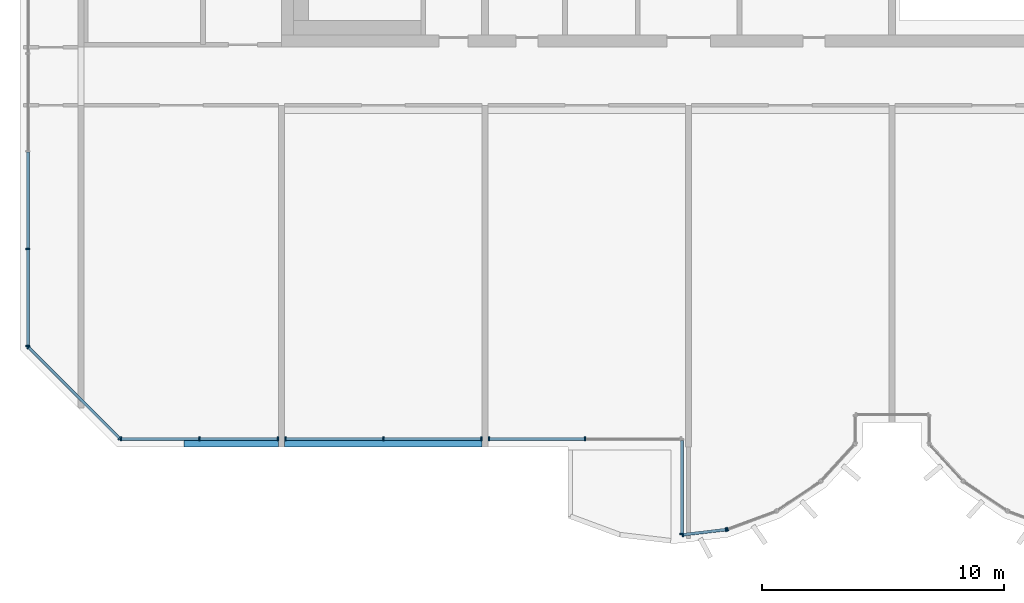
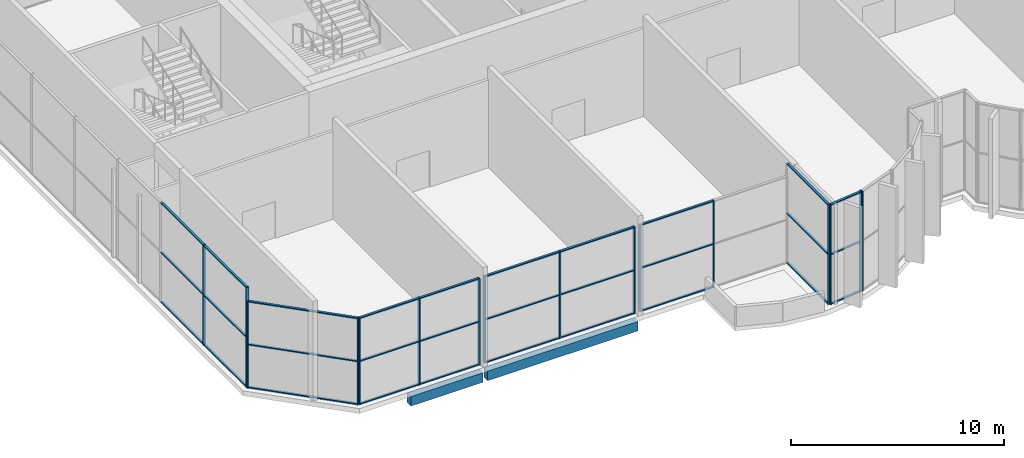
# One storey, part 1 of 17: 46 members, 2 beams, 8 elements without a shape of their own.
"""IFC4 building model written with IfcOpenShell, lengths in metres."""

from ifc_helpers import new_model, si_unit, direction, frame, origin, origin_2d, place, context, subcontext, project, spatial, rectangle, extrude, source, transform, mapped, material, material_profile, profile_set, type_object, element, aggregate, save


model = new_model("IFC4")

# Units and contexts
model_context = context("Model", 3, precision=1e-05, world=origin(), true_north=direction((0.0, 1.0)))
body_context = subcontext(model_context, "Body", "Model", "MODEL_VIEW")
ifc_project = project(units=[si_unit("LENGTHUNIT", "METRE"), si_unit("AREAUNIT", "SQUARE_METRE"), si_unit("VOLUMEUNIT", "CUBIC_METRE"), si_unit("PLANEANGLEUNIT", "RADIAN"), si_unit("MASSUNIT", "GRAM", prefix="KILO")], contexts=[model_context])

# Site, building, storey
site_placement = place(None, origin())
site = spatial("IfcSite", under=ifc_project, at=site_placement, CompositionType="ELEMENT")
building_placement = place(site_placement, origin())
building = spatial("IfcBuilding", under=site, at=building_placement, Name="Vanashikhar Sky Hotel", CompositionType="ELEMENT")
storey_placement = place(building_placement, frame((0.0, 0.0, 323.699951171875)))
storey = spatial("IfcBuildingStorey", under=building, at=storey_placement, Name="L77", CompositionType="ELEMENT", Elevation=323.699951171875)

# Beams
ifc_material_1 = material(Name="Concrete M50", Category="concrete")
ifc_material_profile_1 = material_profile(ifc_material_1, rectangle(XDim=0.35009765625, YDim=0.550048828125, at=origin_2d()))
ifc_profile_set_1 = profile_set([ifc_material_profile_1], Name="RC 350x550 beam Concrete M50")
beam_type_1 = type_object("IfcBeamType", Name="RC 350x550 beam Concrete M50", PredefinedType="SPANDREL", material=ifc_profile_set_1)
shared_shape_1 = source(origin(), body_context, "Body", "SweptSolid", [
    extrude(rectangle(XDim=0.35009765625, YDim=0.550048828125, at=origin_2d()), origin(), (0.0, 0.0, 1.0), 8.150146484375),
])
beam_1_placement = place(storey_placement, frame((25.324951171875, 5.675048828125, -0.554931640625), z_axis=(1.0, 0.0, 0.0), x_axis=(0.0, 1.0, 0.0)))
element("IfcBeam", 1, at=beam_1_placement, inside=storey, type_object=beam_type_1, Name="EB-L77-F01", PredefinedType="SPANDREL", context=body_context, shape_type="MappedRepresentation", body=[
    mapped(shared_shape_1, transform((0.0, 0.0, 0.0), scale=1.0)),
])
ifc_material_profile_2 = material_profile(ifc_material_1, rectangle(XDim=0.35009765625, YDim=0.550048828125, at=origin_2d()))
ifc_profile_set_2 = profile_set([ifc_material_profile_2], Name="RC 350x550 cantilever beam Concrete M50")
beam_type_2 = type_object("IfcBeamType", Name="RC 350x550 cantilever beam Concrete M50", PredefinedType="SPANDREL", material=ifc_profile_set_2)
shared_shape_2 = source(origin(), body_context, "Body", "SweptSolid", [
    extrude(rectangle(XDim=0.35009765625, YDim=0.550048828125, at=origin_2d()), origin(), (0.0, 0.0, 1.0), 3.89990234375),
])
beam_2_placement = place(storey_placement, frame((21.175048828125, 5.675048828125, -0.554931640625), z_axis=(1.0, 0.0, 0.0), x_axis=(0.0, 1.0, 0.0)))
element("IfcBeam", 2, at=beam_2_placement, inside=storey, type_object=beam_type_2, Name="EB-L77-F02", PredefinedType="SPANDREL", context=body_context, shape_type="MappedRepresentation", body=[
    mapped(shared_shape_2, transform((0.0, 0.0, 0.0), scale=1.0)),
])

# Curtain wall, members
ifc_material_2 = material(Name="Glass", Category="glass")
curtain_wall_type = type_object("IfcCurtainWallType", Name="Sky restaurant glazing", PredefinedType="NOTDEFINED", material=ifc_material_2)
curtain_wall_1_placement = place(storey_placement, origin())
curtain_wall_1 = element("IfcCurtainWall", 3, at=curtain_wall_1_placement, inside=storey, type_object=curtain_wall_type, Name="Sky restaurant glazing", PredefinedType="NOTDEFINED")
ifc_material_3 = material(Name="Aluminium 6063-T6", Category="aluminium")
ifc_material_profile_3 = material_profile(ifc_material_3, rectangle(XDim=0.159912109375, YDim=0.06005859375, at=origin_2d()))
ifc_profile_set_3 = profile_set([ifc_material_profile_3], Name="Aluminium 6063-T6")
member_type_1 = type_object("IfcMemberType", Name="Sky restaurant mullion 60 x 160", PredefinedType="MULLION", material=ifc_profile_set_3)
shared_shape_3 = source(origin(), body_context, "Body", "SweptSolid", [
    extrude(rectangle(XDim=0.159912109375, YDim=0.06005859375, at=origin_2d()), origin(), (0.0, 0.0, 1.0), 4.969970703125),
])
member_1_placement = place(storey_placement, frame((18.564697265625, 5.824951171875, 0.0), z_axis=(0.0, 0.0, 1.0), x_axis=(0.0, 1.0, 0.0)))
member_1 = element("IfcMember", 4, at=member_1_placement, type_object=member_type_1, Name="CW-5 mullion 1", PredefinedType="MULLION", context=body_context, shape_type="MappedRepresentation", body=[
    mapped(shared_shape_3, transform((0.0, 0.0, 0.0), scale=1.0)),
])
member_2_placement = place(storey_placement, frame((21.8046875, 5.824951171875, 0.0), z_axis=(0.0, 0.0, 1.0), x_axis=(0.0, 1.0, 0.0)))
member_2 = element("IfcMember", 5, at=member_2_placement, type_object=member_type_1, Name="CW-5 mullion 2", PredefinedType="MULLION", context=body_context, shape_type="MappedRepresentation", body=[
    mapped(shared_shape_3, transform((0.0, 0.0, 0.0), scale=1.0)),
])
member_3_placement = place(storey_placement, frame((25.044921875, 5.824951171875, 0.0), z_axis=(0.0, 0.0, 1.0), x_axis=(0.0, 1.0, 0.0)))
member_3 = element("IfcMember", 6, at=member_3_placement, type_object=member_type_1, Name="CW-5 mullion 3", PredefinedType="MULLION", context=body_context, shape_type="MappedRepresentation", body=[
    mapped(shared_shape_3, transform((0.0, 0.0, 0.0), scale=1.0)),
])

curtain_wall_2_placement = place(storey_placement, origin())
curtain_wall_2 = element("IfcCurtainWall", 7, at=curtain_wall_2_placement, inside=storey, type_object=curtain_wall_type, Name="Sky restaurant glazing", PredefinedType="NOTDEFINED")
member_4_placement = place(storey_placement, frame((25.35498046875, 5.824951171875, 0.0), z_axis=(0.0, 0.0, 1.0), x_axis=(0.0, 1.0, 0.0)))
member_4 = element("IfcMember", 8, at=member_4_placement, type_object=member_type_1, Name="CW-5 mullion 1", PredefinedType="MULLION", context=body_context, shape_type="MappedRepresentation", body=[
    mapped(shared_shape_3, transform((0.0, 0.0, 0.0), scale=1.0)),
])
member_5_placement = place(storey_placement, frame((29.39990234375, 5.824951171875, 0.0), z_axis=(0.0, 0.0, 1.0), x_axis=(0.0, 1.0, 0.0)))
member_5 = element("IfcMember", 9, at=member_5_placement, type_object=member_type_1, Name="CW-5 mullion 2", PredefinedType="MULLION", context=body_context, shape_type="MappedRepresentation", body=[
    mapped(shared_shape_3, transform((0.0, 0.0, 0.0), scale=1.0)),
])
member_6_placement = place(storey_placement, frame((33.445068359375, 5.824951171875, 0.0), z_axis=(0.0, 0.0, 1.0), x_axis=(0.0, 1.0, 0.0)))
member_6 = element("IfcMember", 10, at=member_6_placement, type_object=member_type_1, Name="CW-5 mullion 3", PredefinedType="MULLION", context=body_context, shape_type="MappedRepresentation", body=[
    mapped(shared_shape_3, transform((0.0, 0.0, 0.0), scale=1.0)),
])

curtain_wall_3_placement = place(storey_placement, origin())
curtain_wall_3 = element("IfcCurtainWall", 11, at=curtain_wall_3_placement, inside=storey, type_object=curtain_wall_type, Name="Sky restaurant glazing", PredefinedType="NOTDEFINED")
member_7_placement = place(storey_placement, frame((33.7548828125, 5.824951171875, 0.0), z_axis=(0.0, 0.0, 1.0), x_axis=(0.0, 1.0, 0.0)))
member_7 = element("IfcMember", 12, at=member_7_placement, type_object=member_type_1, Name="CW-5 mullion 1", PredefinedType="MULLION", context=body_context, shape_type="MappedRepresentation", body=[
    mapped(shared_shape_3, transform((0.0, 0.0, 0.0), scale=1.0)),
])
member_8_placement = place(storey_placement, frame((37.72509765625, 5.824951171875, 0.0), z_axis=(0.0, 0.0, 1.0), x_axis=(0.0, 1.0, 0.0)))
member_8 = element("IfcMember", 13, at=member_8_placement, type_object=member_type_1, Name="CW-5 mullion 2", PredefinedType="MULLION", context=body_context, shape_type="MappedRepresentation", body=[
    mapped(shared_shape_3, transform((0.0, 0.0, 0.0), scale=1.0)),
])

curtain_wall_4_placement = place(storey_placement, origin())
curtain_wall_4 = element("IfcCurtainWall", 14, at=curtain_wall_4_placement, inside=storey, type_object=curtain_wall_type, Name="Sky restaurant glazing", PredefinedType="NOTDEFINED")
member_9_placement = place(storey_placement, frame((14.74609375, 9.61328125, 0.0), z_axis=(0.0, 0.0, 1.0), x_axis=(0.707106781187, 0.707106781187, 0.0)))
member_9 = element("IfcMember", 15, at=member_9_placement, type_object=member_type_1, Name="CW-5 mullion 1", PredefinedType="MULLION", context=body_context, shape_type="MappedRepresentation", body=[
    mapped(shared_shape_3, transform((0.0, 0.0, 0.0), scale=1.0)),
])
member_10_placement = place(storey_placement, frame((18.513427734375, 5.84619140625, 0.0), z_axis=(0.0, 0.0, 1.0), x_axis=(0.707106781187, 0.707106781187, 0.0)))
member_10 = element("IfcMember", 16, at=member_10_placement, type_object=member_type_1, Name="CW-5 mullion 2", PredefinedType="MULLION", context=body_context, shape_type="MappedRepresentation", body=[
    mapped(shared_shape_3, transform((0.0, 0.0, 0.0), scale=1.0)),
])

# Member
ifc_material_profile_4 = material_profile(ifc_material_3, rectangle(XDim=0.1201171875, YDim=0.06005859375, at=origin_2d()))
ifc_profile_set_4 = profile_set([ifc_material_profile_4], Name="Aluminium 6063-T6")
member_type_2 = type_object("IfcMemberType", Name="Sky restaurant transom 60 x 120", PredefinedType="USERDEFINED", material=ifc_profile_set_4)
shared_shape_4 = source(origin(), body_context, "Body", "SweptSolid", [
    extrude(rectangle(XDim=0.1201171875, YDim=0.06005859375, at=origin_2d()), origin(), (0.0, 0.0, 1.0), 3.180419921875),
])
member_11_placement = place(storey_placement, frame((18.594482421875, 5.824951171875, 0.030029296875), z_axis=(1.0, 0.0, 0.0), x_axis=(0.0, 1.0, 0.0)))
member_11 = element("IfcMember", 17, at=member_11_placement, type_object=member_type_2, Name="CW-5 transom 1.1", ObjectType="TRANSOM", PredefinedType="USERDEFINED", context=body_context, shape_type="MappedRepresentation", body=[
    mapped(shared_shape_4, transform((0.0, 0.0, 0.0), scale=1.0)),
])

member_12_placement = place(storey_placement, frame((18.594482421875, 5.824951171875, 2.485107421875), z_axis=(1.0, 0.0, 0.0), x_axis=(0.0, 1.0, 0.0)))
member_12 = element("IfcMember", 18, at=member_12_placement, type_object=member_type_2, Name="CW-5 transom 1.2", ObjectType="TRANSOM", PredefinedType="USERDEFINED", context=body_context, shape_type="MappedRepresentation", body=[
    mapped(shared_shape_4, transform((0.0, 0.0, 0.0), scale=1.0)),
])

member_13_placement = place(storey_placement, frame((18.594482421875, 5.824951171875, 4.93994140625), z_axis=(1.0, 0.0, 0.0), x_axis=(0.0, 1.0, 0.0)))
member_13 = element("IfcMember", 19, at=member_13_placement, type_object=member_type_2, Name="CW-5 transom 1.3", ObjectType="TRANSOM", PredefinedType="USERDEFINED", context=body_context, shape_type="MappedRepresentation", body=[
    mapped(shared_shape_4, transform((0.0, 0.0, 0.0), scale=1.0)),
])

shared_shape_5 = source(origin(), body_context, "Body", "SweptSolid", [
    extrude(rectangle(XDim=0.1201171875, YDim=0.06005859375, at=origin_2d()), origin(), (0.0, 0.0, 1.0), 3.18017578125),
])
member_14_placement = place(storey_placement, frame((21.834716796875, 5.824951171875, 0.030029296875), z_axis=(1.0, 0.0, 0.0), x_axis=(0.0, 1.0, 0.0)))
member_14 = element("IfcMember", 20, at=member_14_placement, type_object=member_type_2, Name="CW-5 transom 2.1", ObjectType="TRANSOM", PredefinedType="USERDEFINED", context=body_context, shape_type="MappedRepresentation", body=[
    mapped(shared_shape_5, transform((0.0, 0.0, 0.0), scale=1.0)),
])

member_15_placement = place(storey_placement, frame((21.834716796875, 5.824951171875, 2.485107421875), z_axis=(1.0, 0.0, 0.0), x_axis=(0.0, 1.0, 0.0)))
member_15 = element("IfcMember", 21, at=member_15_placement, type_object=member_type_2, Name="CW-5 transom 2.2", ObjectType="TRANSOM", PredefinedType="USERDEFINED", context=body_context, shape_type="MappedRepresentation", body=[
    mapped(shared_shape_5, transform((0.0, 0.0, 0.0), scale=1.0)),
])

member_16_placement = place(storey_placement, frame((21.834716796875, 5.824951171875, 4.93994140625), z_axis=(1.0, 0.0, 0.0), x_axis=(0.0, 1.0, 0.0)))
member_16 = element("IfcMember", 22, at=member_16_placement, type_object=member_type_2, Name="CW-5 transom 2.3", ObjectType="TRANSOM", PredefinedType="USERDEFINED", context=body_context, shape_type="MappedRepresentation", body=[
    mapped(shared_shape_5, transform((0.0, 0.0, 0.0), scale=1.0)),
])

aggregate(curtain_wall_1, [member_1, member_2, member_3, member_11, member_12, member_13, member_14, member_15, member_16])

shared_shape_6 = source(origin(), body_context, "Body", "SweptSolid", [
    extrude(rectangle(XDim=0.1201171875, YDim=0.06005859375, at=origin_2d()), origin(), (0.0, 0.0, 1.0), 3.985107421875),
])
member_17_placement = place(storey_placement, frame((25.385009765625, 5.824951171875, 0.030029296875), z_axis=(1.0, 0.0, 0.0), x_axis=(0.0, 1.0, 0.0)))
member_17 = element("IfcMember", 23, at=member_17_placement, type_object=member_type_2, Name="CW-5 transom 1.1", ObjectType="TRANSOM", PredefinedType="USERDEFINED", context=body_context, shape_type="MappedRepresentation", body=[
    mapped(shared_shape_6, transform((0.0, 0.0, 0.0), scale=1.0)),
])

member_18_placement = place(storey_placement, frame((25.385009765625, 5.824951171875, 2.485107421875), z_axis=(1.0, 0.0, 0.0), x_axis=(0.0, 1.0, 0.0)))
member_18 = element("IfcMember", 24, at=member_18_placement, type_object=member_type_2, Name="CW-5 transom 1.2", ObjectType="TRANSOM", PredefinedType="USERDEFINED", context=body_context, shape_type="MappedRepresentation", body=[
    mapped(shared_shape_6, transform((0.0, 0.0, 0.0), scale=1.0)),
])

member_19_placement = place(storey_placement, frame((25.385009765625, 5.824951171875, 4.93994140625), z_axis=(1.0, 0.0, 0.0), x_axis=(0.0, 1.0, 0.0)))
member_19 = element("IfcMember", 25, at=member_19_placement, type_object=member_type_2, Name="CW-5 transom 1.3", ObjectType="TRANSOM", PredefinedType="USERDEFINED", context=body_context, shape_type="MappedRepresentation", body=[
    mapped(shared_shape_6, transform((0.0, 0.0, 0.0), scale=1.0)),
])

member_20_placement = place(storey_placement, frame((29.429931640625, 5.824951171875, 0.030029296875), z_axis=(1.0, 0.0, 0.0), x_axis=(0.0, 1.0, 0.0)))
member_20 = element("IfcMember", 26, at=member_20_placement, type_object=member_type_2, Name="CW-5 transom 2.1", ObjectType="TRANSOM", PredefinedType="USERDEFINED", context=body_context, shape_type="MappedRepresentation", body=[
    mapped(shared_shape_6, transform((0.0, 0.0, 0.0), scale=1.0)),
])

member_21_placement = place(storey_placement, frame((29.429931640625, 5.824951171875, 2.485107421875), z_axis=(1.0, 0.0, 0.0), x_axis=(0.0, 1.0, 0.0)))
member_21 = element("IfcMember", 27, at=member_21_placement, type_object=member_type_2, Name="CW-5 transom 2.2", ObjectType="TRANSOM", PredefinedType="USERDEFINED", context=body_context, shape_type="MappedRepresentation", body=[
    mapped(shared_shape_6, transform((0.0, 0.0, 0.0), scale=1.0)),
])

member_22_placement = place(storey_placement, frame((29.429931640625, 5.824951171875, 4.93994140625), z_axis=(1.0, 0.0, 0.0), x_axis=(0.0, 1.0, 0.0)))
member_22 = element("IfcMember", 28, at=member_22_placement, type_object=member_type_2, Name="CW-5 transom 2.3", ObjectType="TRANSOM", PredefinedType="USERDEFINED", context=body_context, shape_type="MappedRepresentation", body=[
    mapped(shared_shape_6, transform((0.0, 0.0, 0.0), scale=1.0)),
])

aggregate(curtain_wall_2, [member_4, member_5, member_6, member_17, member_18, member_19, member_20, member_21, member_22])

shared_shape_7 = source(origin(), body_context, "Body", "SweptSolid", [
    extrude(rectangle(XDim=0.1201171875, YDim=0.06005859375, at=origin_2d()), origin(), (0.0, 0.0, 1.0), 3.91015625),
])
member_23_placement = place(storey_placement, frame((33.784912109375, 5.824951171875, 0.030029296875), z_axis=(1.0, 0.0, 0.0), x_axis=(0.0, 1.0, 0.0)))
member_23 = element("IfcMember", 29, at=member_23_placement, type_object=member_type_2, Name="CW-5 transom 1.1", ObjectType="TRANSOM", PredefinedType="USERDEFINED", context=body_context, shape_type="MappedRepresentation", body=[
    mapped(shared_shape_7, transform((0.0, 0.0, 0.0), scale=1.0)),
])

member_24_placement = place(storey_placement, frame((33.784912109375, 5.824951171875, 2.485107421875), z_axis=(1.0, 0.0, 0.0), x_axis=(0.0, 1.0, 0.0)))
member_24 = element("IfcMember", 30, at=member_24_placement, type_object=member_type_2, Name="CW-5 transom 1.2", ObjectType="TRANSOM", PredefinedType="USERDEFINED", context=body_context, shape_type="MappedRepresentation", body=[
    mapped(shared_shape_7, transform((0.0, 0.0, 0.0), scale=1.0)),
])

member_25_placement = place(storey_placement, frame((33.784912109375, 5.824951171875, 4.93994140625), z_axis=(1.0, 0.0, 0.0), x_axis=(0.0, 1.0, 0.0)))
member_25 = element("IfcMember", 31, at=member_25_placement, type_object=member_type_2, Name="CW-5 transom 1.3", ObjectType="TRANSOM", PredefinedType="USERDEFINED", context=body_context, shape_type="MappedRepresentation", body=[
    mapped(shared_shape_7, transform((0.0, 0.0, 0.0), scale=1.0)),
])

aggregate(curtain_wall_3, [member_7, member_8, member_23, member_24, member_25])

# Curtain wall, member
curtain_wall_5_placement = place(storey_placement, origin())
curtain_wall_5 = element("IfcCurtainWall", 32, at=curtain_wall_5_placement, inside=storey, type_object=curtain_wall_type, Name="Sky restaurant glazing", PredefinedType="NOTDEFINED")
shared_shape_8 = source(origin(), body_context, "Body", "SweptSolid", [
    extrude(rectangle(XDim=0.159912109375, YDim=0.06005859375, at=origin_2d()), origin(), (0.0, 0.0, 1.0), 5.719970703125),
])
member_26_placement = place(storey_placement, frame((41.72509765625, 1.89599609375, 0.0), z_axis=(0.0, 0.0, 1.0), x_axis=(1.0, 0.0, 0.0)))
member_26 = element("IfcMember", 33, at=member_26_placement, type_object=member_type_1, Name="CW-5 mullion 2", PredefinedType="MULLION", context=body_context, shape_type="MappedRepresentation", body=[
    mapped(shared_shape_8, transform((0.0, 0.0, 0.0), scale=1.0)),
])

# Curtain wall, members
curtain_wall_6_placement = place(storey_placement, origin())
curtain_wall_6 = element("IfcCurtainWall", 34, at=curtain_wall_6_placement, inside=storey, type_object=curtain_wall_type, Name="Sky restaurant glazing", PredefinedType="NOTDEFINED")
member_27_placement = place(storey_placement, frame((41.7548828125, 1.869384765625, 0.0), z_axis=(0.0, 0.0, 1.0), x_axis=(-0.11810716356, 0.993000854942, 0.0)))
member_27 = element("IfcMember", 35, at=member_27_placement, type_object=member_type_1, Name="CW-5 mullion 1", PredefinedType="MULLION", context=body_context, shape_type="MappedRepresentation", body=[
    mapped(shared_shape_8, transform((0.0, 0.0, 0.0), scale=1.0)),
])
member_28_placement = place(storey_placement, frame((43.54736328125, 2.082763671875, 0.0), z_axis=(0.0, 0.0, 1.0), x_axis=(-0.11810716356, 0.993000854942, 0.0)))
member_28 = element("IfcMember", 36, at=member_28_placement, type_object=member_type_1, Name="CW-5 mullion 2", PredefinedType="MULLION", context=body_context, shape_type="MappedRepresentation", body=[
    mapped(shared_shape_8, transform((0.0, 0.0, 0.0), scale=1.0)),
])

# Curtain wall, member
curtain_wall_7_placement = place(storey_placement, origin())
curtain_wall_7 = element("IfcCurtainWall", 37, at=curtain_wall_7_placement, inside=storey, type_object=curtain_wall_type, Name="Sky restaurant glazing", PredefinedType="NOTDEFINED")
member_29_placement = place(storey_placement, frame((43.605224609375, 2.0966796875, 0.0), z_axis=(0.0, 0.0, 1.0), x_axis=(-0.347863704919, 0.937545115075, 0.0)))
member_29 = element("IfcMember", 38, at=member_29_placement, type_object=member_type_1, Name="CW-5 mullion 1", PredefinedType="MULLION", context=body_context, shape_type="MappedRepresentation", body=[
    mapped(shared_shape_8, transform((0.0, 0.0, 0.0), scale=1.0)),
])
aggregate(curtain_wall_7, [member_29])

# Curtain wall, members
curtain_wall_8_placement = place(storey_placement, origin())
curtain_wall_8 = element("IfcCurtainWall", 39, at=curtain_wall_8_placement, inside=storey, type_object=curtain_wall_type, Name="Sky restaurant glazing", PredefinedType="NOTDEFINED")
member_30_placement = place(storey_placement, frame((14.72509765625, 13.66748046875, 0.0), z_axis=(0.0, 0.0, 1.0), x_axis=(1.0, 0.0, 0.0)))
member_30 = element("IfcMember", 40, at=member_30_placement, type_object=member_type_1, Name="CW-5 mullion 7", PredefinedType="MULLION", context=body_context, shape_type="MappedRepresentation", body=[
    mapped(shared_shape_8, transform((0.0, 0.0, 0.0), scale=1.0)),
])
member_31_placement = place(storey_placement, frame((14.72509765625, 9.66455078125, 0.0), z_axis=(0.0, 0.0, 1.0), x_axis=(1.0, 0.0, 0.0)))
member_31 = element("IfcMember", 41, at=member_31_placement, type_object=member_type_1, Name="CW-5 mullion 8", PredefinedType="MULLION", context=body_context, shape_type="MappedRepresentation", body=[
    mapped(shared_shape_8, transform((0.0, 0.0, 0.0), scale=1.0)),
])

# Member
shared_shape_9 = source(origin(), body_context, "Body", "SweptSolid", [
    extrude(rectangle(XDim=0.1201171875, YDim=0.06005859375, at=origin_2d()), origin(), (0.0, 0.0, 1.0), 3.839111328125),
])
member_32_placement = place(storey_placement, frame((41.72509765625, 5.764892578125, 0.030029296875), z_axis=(0.0, -1.0, 0.0), x_axis=(1.0, 0.0, 0.0)))
member_32 = element("IfcMember", 42, at=member_32_placement, type_object=member_type_2, Name="CW-5 transom 1.1", ObjectType="TRANSOM", PredefinedType="USERDEFINED", context=body_context, shape_type="MappedRepresentation", body=[
    mapped(shared_shape_9, transform((0.0, 0.0, 0.0), scale=1.0)),
])

member_33_placement = place(storey_placement, frame((41.72509765625, 5.764892578125, 2.860107421875), z_axis=(0.0, -1.0, 0.0), x_axis=(1.0, 0.0, 0.0)))
member_33 = element("IfcMember", 43, at=member_33_placement, type_object=member_type_2, Name="CW-5 transom 1.2", ObjectType="TRANSOM", PredefinedType="USERDEFINED", context=body_context, shape_type="MappedRepresentation", body=[
    mapped(shared_shape_9, transform((0.0, 0.0, 0.0), scale=1.0)),
])

member_34_placement = place(storey_placement, frame((41.72509765625, 5.764892578125, 5.68994140625), z_axis=(0.0, -1.0, 0.0), x_axis=(1.0, 0.0, 0.0)))
member_34 = element("IfcMember", 44, at=member_34_placement, type_object=member_type_2, Name="CW-5 transom 1.3", ObjectType="TRANSOM", PredefinedType="USERDEFINED", context=body_context, shape_type="MappedRepresentation", body=[
    mapped(shared_shape_9, transform((0.0, 0.0, 0.0), scale=1.0)),
])

aggregate(curtain_wall_5, [member_26, member_32, member_33, member_34])

shared_shape_10 = source(origin(), body_context, "Body", "SweptSolid", [
    extrude(rectangle(XDim=0.1201171875, YDim=0.06005859375, at=origin_2d()), origin(), (0.0, 0.0, 1.0), 1.7451171875),
])
member_35_placement = place(storey_placement, frame((41.78466796875, 1.873046875, 0.030029296875), z_axis=(0.993004686546, 0.118074944413, 0.0), x_axis=(-0.118074944413, 0.993004686546, 0.0)))
member_35 = element("IfcMember", 45, at=member_35_placement, type_object=member_type_2, Name="CW-5 transom 1.1", ObjectType="TRANSOM", PredefinedType="USERDEFINED", context=body_context, shape_type="MappedRepresentation", body=[
    mapped(shared_shape_10, transform((0.0, 0.0, 0.0), scale=1.0)),
])

member_36_placement = place(storey_placement, frame((41.78466796875, 1.873046875, 2.860107421875), z_axis=(0.993004686546, 0.118074944413, 0.0), x_axis=(-0.118074944413, 0.993004686546, 0.0)))
member_36 = element("IfcMember", 46, at=member_36_placement, type_object=member_type_2, Name="CW-5 transom 1.2", ObjectType="TRANSOM", PredefinedType="USERDEFINED", context=body_context, shape_type="MappedRepresentation", body=[
    mapped(shared_shape_10, transform((0.0, 0.0, 0.0), scale=1.0)),
])

member_37_placement = place(storey_placement, frame((41.78466796875, 1.873046875, 5.68994140625), z_axis=(0.993004686546, 0.118074944413, 0.0), x_axis=(-0.118074944413, 0.993004686546, 0.0)))
member_37 = element("IfcMember", 47, at=member_37_placement, type_object=member_type_2, Name="CW-5 transom 1.3", ObjectType="TRANSOM", PredefinedType="USERDEFINED", context=body_context, shape_type="MappedRepresentation", body=[
    mapped(shared_shape_10, transform((0.0, 0.0, 0.0), scale=1.0)),
])

aggregate(curtain_wall_6, [member_27, member_28, member_35, member_36, member_37])

shared_shape_11 = source(origin(), body_context, "Body", "SweptSolid", [
    extrude(rectangle(XDim=0.1201171875, YDim=0.06005859375, at=origin_2d()), origin(), (0.0, 0.0, 1.0), 3.94287109375),
])
member_38_placement = place(storey_placement, frame((14.72509765625, 13.637451171875, 0.030029296875), z_axis=(0.0, -1.0, 0.0), x_axis=(1.0, 0.0, 0.0)))
member_38 = element("IfcMember", 48, at=member_38_placement, type_object=member_type_2, Name="CW-5 transom 7.1", ObjectType="TRANSOM", PredefinedType="USERDEFINED", context=body_context, shape_type="MappedRepresentation", body=[
    mapped(shared_shape_11, transform((0.0, 0.0, 0.0), scale=1.0)),
])

member_39_placement = place(storey_placement, frame((14.72509765625, 13.637451171875, 2.860107421875), z_axis=(0.0, -1.0, 0.0), x_axis=(1.0, 0.0, 0.0)))
member_39 = element("IfcMember", 49, at=member_39_placement, type_object=member_type_2, Name="CW-5 transom 7.2", ObjectType="TRANSOM", PredefinedType="USERDEFINED", context=body_context, shape_type="MappedRepresentation", body=[
    mapped(shared_shape_11, transform((0.0, 0.0, 0.0), scale=1.0)),
])

member_40_placement = place(storey_placement, frame((14.72509765625, 13.637451171875, 5.68994140625), z_axis=(0.0, -1.0, 0.0), x_axis=(1.0, 0.0, 0.0)))
member_40 = element("IfcMember", 50, at=member_40_placement, type_object=member_type_2, Name="CW-5 transom 7.3", ObjectType="TRANSOM", PredefinedType="USERDEFINED", context=body_context, shape_type="MappedRepresentation", body=[
    mapped(shared_shape_11, transform((0.0, 0.0, 0.0), scale=1.0)),
])

shared_shape_12 = source(origin(), body_context, "Body", "SweptSolid", [
    extrude(rectangle(XDim=0.1201171875, YDim=0.06005859375, at=origin_2d()), origin(), (0.0, 0.0, 1.0), 3.97314453125),
])
member_41_placement = place(storey_placement, frame((14.72509765625, 17.670654296875, 0.030029296875), z_axis=(0.0, -1.0, 0.0), x_axis=(1.0, 0.0, 0.0)))
member_41 = element("IfcMember", 51, at=member_41_placement, type_object=member_type_2, Name="CW-5 transom 6.1", ObjectType="TRANSOM", PredefinedType="USERDEFINED", context=body_context, shape_type="MappedRepresentation", body=[
    mapped(shared_shape_12, transform((0.0, 0.0, 0.0), scale=1.0)),
])

member_42_placement = place(storey_placement, frame((14.72509765625, 17.670654296875, 2.860107421875), z_axis=(0.0, -1.0, 0.0), x_axis=(1.0, 0.0, 0.0)))
member_42 = element("IfcMember", 52, at=member_42_placement, type_object=member_type_2, Name="CW-5 transom 6.2", ObjectType="TRANSOM", PredefinedType="USERDEFINED", context=body_context, shape_type="MappedRepresentation", body=[
    mapped(shared_shape_12, transform((0.0, 0.0, 0.0), scale=1.0)),
])

member_43_placement = place(storey_placement, frame((14.72509765625, 17.670654296875, 5.68994140625), z_axis=(0.0, -1.0, 0.0), x_axis=(1.0, 0.0, 0.0)))
member_43 = element("IfcMember", 53, at=member_43_placement, type_object=member_type_2, Name="CW-5 transom 6.3", ObjectType="TRANSOM", PredefinedType="USERDEFINED", context=body_context, shape_type="MappedRepresentation", body=[
    mapped(shared_shape_12, transform((0.0, 0.0, 0.0), scale=1.0)),
])

aggregate(curtain_wall_8, [member_30, member_31, member_41, member_42, member_43, member_38, member_39, member_40])

shared_shape_13 = source(origin(), body_context, "Body", "SweptSolid", [
    extrude(rectangle(XDim=0.1201171875, YDim=0.06005859375, at=origin_2d()), origin(), (0.0, 0.0, 1.0), 5.267822265625),
])
member_44_placement = place(storey_placement, frame((14.767333984375, 9.59228515625, 0.030029296875), z_axis=(0.707106781187, -0.707106781187, 0.0), x_axis=(0.707106781187, 0.707106781187, 0.0)))
member_44 = element("IfcMember", 54, at=member_44_placement, type_object=member_type_2, Name="CW-5 transom 1.1", ObjectType="TRANSOM", PredefinedType="USERDEFINED", context=body_context, shape_type="MappedRepresentation", body=[
    mapped(shared_shape_13, transform((0.0, 0.0, 0.0), scale=1.0)),
])

member_45_placement = place(storey_placement, frame((14.767333984375, 9.59228515625, 2.485107421875), z_axis=(0.707106781187, -0.707106781187, 0.0), x_axis=(0.707106781187, 0.707106781187, 0.0)))
member_45 = element("IfcMember", 55, at=member_45_placement, type_object=member_type_2, Name="CW-5 transom 1.2", ObjectType="TRANSOM", PredefinedType="USERDEFINED", context=body_context, shape_type="MappedRepresentation", body=[
    mapped(shared_shape_13, transform((0.0, 0.0, 0.0), scale=1.0)),
])

member_46_placement = place(storey_placement, frame((14.767333984375, 9.59228515625, 4.93994140625), z_axis=(0.707106781187, -0.707106781187, 0.0), x_axis=(0.707106781187, 0.707106781187, 0.0)))
member_46 = element("IfcMember", 56, at=member_46_placement, type_object=member_type_2, Name="CW-5 transom 1.3", ObjectType="TRANSOM", PredefinedType="USERDEFINED", context=body_context, shape_type="MappedRepresentation", body=[
    mapped(shared_shape_13, transform((0.0, 0.0, 0.0), scale=1.0)),
])

aggregate(curtain_wall_4, [member_9, member_10, member_44, member_45, member_46])

save(model, "model.ifc")
